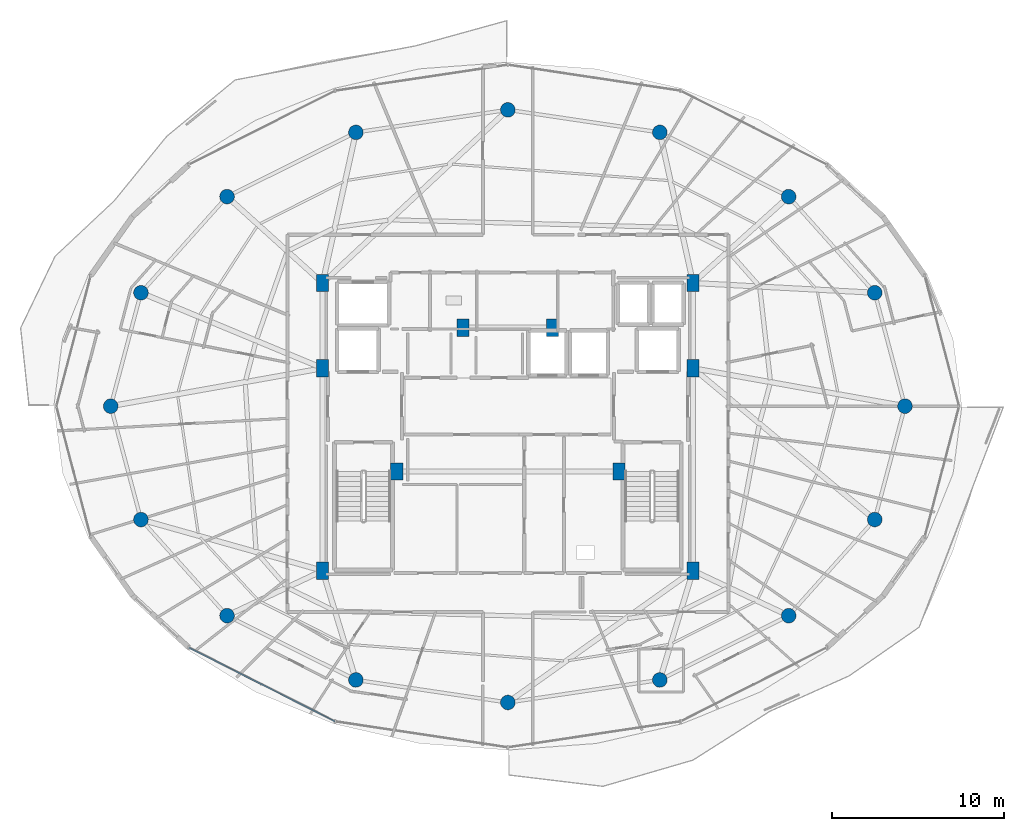
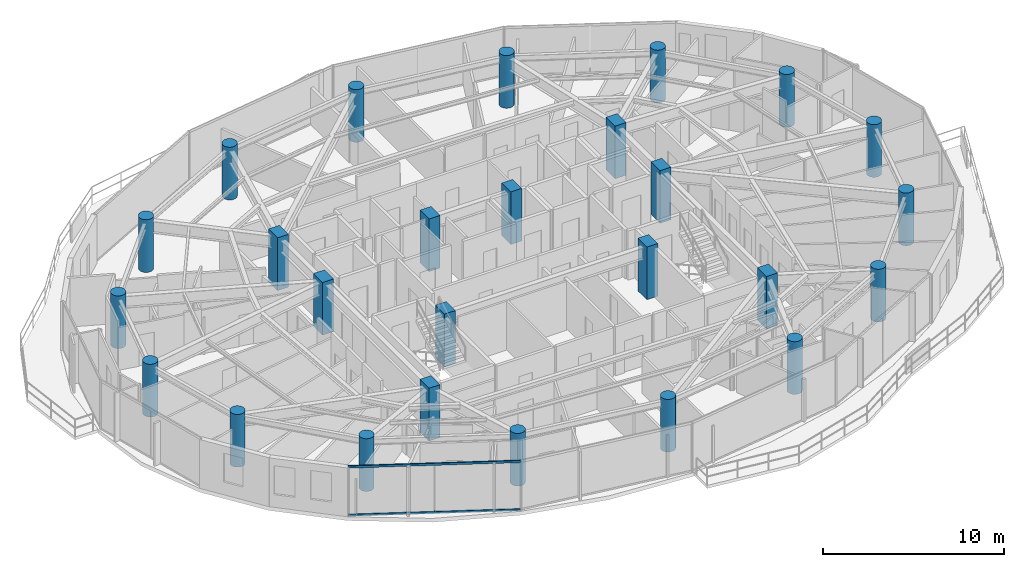
# One storey, part 1 of 30: 26 columns, 2 members, 1 element without a shape of its own.
"""IFC4 building model written with IfcOpenShell, lengths in metres."""

import ifcopenshell
import ifcopenshell.guid

model = None  # the IFC model being written
_history = None  # IfcOwnerHistory: only IFC2X3 demands one
_inside = {}  # id of a spatial element -> (the spatial element, [elements in it])
_under = {}  # id of a project, library or spatial element -> (it, [spatial elements below it])
_declared = {}  # id of a project -> (the project, [libraries it declares])
_typed = {}  # id of a type object -> (the type object, [elements of that type])
_made_of = {}  # id of a material, layer set ... -> (it, [elements and type objects made of it])


def new_model(schema):
    """Start an empty IFC model of exactly this schema.

    Asked for "IFC4X3", IfcOpenShell would pick the latest addendum, in which some entities
    have other attributes; the version numbers below select the first issue.
    IFC2X3 requires an IfcOwnerHistory on every rooted entity: one is made here for all.
    """
    global model, _history
    if schema == "IFC4X3":
        model = ifcopenshell.file(schema_version=(4, 3, 0, 0))
    else:
        model = ifcopenshell.file(schema=schema)
    _inside.clear()
    _under.clear()
    _declared.clear()
    _typed.clear()
    _made_of.clear()
    _history = None
    if model.schema == "IFC2X3":
        org = make("IfcOrganization", Name="unknown")
        user = make(
            "IfcPersonAndOrganization",
            ThePerson=make("IfcPerson", FamilyName="unknown"),
            TheOrganization=org,
        )
        app = make(
            "IfcApplication",
            ApplicationDeveloper=org,
            Version="unknown",
            ApplicationFullName="unknown",
            ApplicationIdentifier="unknown",
        )
        _history = make(
            "IfcOwnerHistory",
            OwningUser=user,
            OwningApplication=app,
            ChangeAction="ADDED",
            CreationDate=0,
        )
    return model


def make(cls, **values):
    """One entity of the class cls with the attributes given. An attribute that is None is left unset."""
    return model.create_entity(
        cls, **{name: value for name, value in values.items() if value is not None}
    )


def rooted(cls, **values):
    """An entity with a GlobalId (a new one), such as an element, a storey or a relation."""
    return make(cls, GlobalId=ifcopenshell.guid.new(), OwnerHistory=_history, **values)


def si_unit(unit_type, name, prefix=None):
    """IfcSIUnit, for example si_unit("LENGTHUNIT", "METRE", prefix="MILLI")."""
    return make("IfcSIUnit", UnitType=unit_type, Prefix=prefix, Name=name)


def assignment(units):
    """IfcUnitAssignment: the units of a project."""
    return None if units is None else make("IfcUnitAssignment", Units=units)


def point(xyz):
    """IfcCartesianPoint."""
    return None if xyz is None else make("IfcCartesianPoint", Coordinates=xyz)


def direction(xyz):
    """IfcDirection."""
    return None if xyz is None else make("IfcDirection", DirectionRatios=xyz)


def frame(location, z_axis=None, x_axis=None):
    """IfcAxis2Placement3D, a coordinate frame: its origin and axes. An axis left out is left unset."""
    return make(
        "IfcAxis2Placement3D",
        Location=point(location),
        Axis=direction(z_axis),
        RefDirection=direction(x_axis),
    )


def frame_2d(location, x_axis=None):
    """IfcAxis2Placement2D, a coordinate frame in the plane: its origin and x axis."""
    return make(
        "IfcAxis2Placement2D", Location=point(location), RefDirection=direction(x_axis)
    )


def origin():
    """The frame at (0, 0, 0) with its axes left unset."""
    return frame((0.0, 0.0, 0.0))


def origin_2d():
    """The frame at (0, 0) in the plane with its x axis left unset."""
    return frame_2d((0.0, 0.0))


def place(relative_to, where):
    """IfcLocalPlacement: puts the frame where relative to a parent placement (None: the world)."""
    return make(
        "IfcLocalPlacement", PlacementRelTo=relative_to, RelativePlacement=where
    )


def context(
    kind, dimensions, precision=None, world=None, true_north=None, identifier=None
):
    """IfcGeometricRepresentationContext, for example the 3D "Model" context."""
    return make(
        "IfcGeometricRepresentationContext",
        ContextIdentifier=identifier,
        ContextType=kind,
        CoordinateSpaceDimension=dimensions,
        Precision=precision,
        WorldCoordinateSystem=world,
        TrueNorth=true_north,
    )


def subcontext(parent, identifier, kind, view, scale=None):
    """IfcGeometricRepresentationSubContext, for example "Body" below "Model"."""
    return make(
        "IfcGeometricRepresentationSubContext",
        ContextIdentifier=identifier,
        ContextType=kind,
        ParentContext=parent,
        TargetScale=scale,
        TargetView=view,
    )


def project(units=None, contexts=None):
    """IfcProject with its units and contexts."""
    return rooted(
        "IfcProject",
        Name="project",
        RepresentationContexts=contexts,
        UnitsInContext=assignment(units),
    )


def spatial(cls, under=None, at=None, **own):
    """A site, building, storey or space (cls), placed at a placement, below another one or the project."""
    s = rooted(cls, ObjectPlacement=at, **own)
    if under is not None:
        _under.setdefault(under.id(), (under, []))[1].append(s)
    return s


def profile(cls, at=None, kind="AREA", **sizes):
    """A parametric profile (cls). Its sizes go by their IFC names, for example OverallWidth=200.0."""
    return make(cls, ProfileType=kind, Position=at, **sizes)


def rectangle(**sizes):
    """IfcRectangleProfileDef."""
    return profile("IfcRectangleProfileDef", **sizes)


def hollow_rectangle(**sizes):
    """IfcRectangleHollowProfileDef."""
    return profile("IfcRectangleHollowProfileDef", **sizes)


def circle(**sizes):
    """IfcCircleProfileDef."""
    return profile("IfcCircleProfileDef", **sizes)


def extrude(swept, where, along, depth):
    """IfcExtrudedAreaSolid: the profile swept, set in the frame where, extruded along a direction by depth."""
    return make(
        "IfcExtrudedAreaSolid",
        SweptArea=swept,
        Position=where,
        ExtrudedDirection=direction(along),
        Depth=depth,
    )


def shape(context_of_items, identifier, shape_type, items):
    """IfcShapeRepresentation: the items that make up one representation, for example the "Body"."""
    return make(
        "IfcShapeRepresentation",
        ContextOfItems=context_of_items,
        RepresentationIdentifier=identifier,
        RepresentationType=shape_type,
        Items=items,
    )


def material(Name=None, Category=None):
    """IfcMaterial."""
    return make("IfcMaterial", Name=Name, Category=Category)


def material_profile(
    of_material, cross_section, Name=None, Category=None, Priority=None
):
    """IfcMaterialProfile: a cross section and its material."""
    return make(
        "IfcMaterialProfile",
        Name=Name,
        Material=of_material,
        Profile=cross_section,
        Priority=Priority,
        Category=Category,
    )


def profile_set(profiles, Name=None, composite=None):
    """IfcMaterialProfileSet."""
    return make(
        "IfcMaterialProfileSet",
        Name=Name,
        MaterialProfiles=profiles,
        CompositeProfile=composite,
    )


def made_of(thing, what):
    """Note that an element or type object is made of a material, layer set ...; save() writes the relation."""
    if what is not None:
        _made_of.setdefault(what.id(), (what, []))[1].append(thing)
    return thing


def type_object(cls, material=None, **own):
    """A type object (cls), such as IfcWallType, which elements share."""
    return made_of(rooted(cls, **own), material)


def element(
    cls,
    number,
    at=None,
    inside=None,
    cuts=None,
    type_object=None,
    material=None,
    context=None,
    identifier="Body",
    shape_type=None,
    held_by="IfcProductDefinitionShape",
    body=None,
    shapes=None,
    **own,
):
    """One element of the class cls, such as IfcWall. Its Tag is "e" and its number.

    at: its placement. inside: the storey or other place that contains it. cuts: it is an
    opening in that element (IfcRelVoidsElement). A single representation is given by context,
    identifier, shape_type and body (its items); several are given by shapes. held_by: the class
    of the entity that holds the representations. save() writes the other relations.
    """
    e = rooted(cls, Tag="e%d" % number, ObjectPlacement=at, **own)
    if body is not None:
        shapes = [shape(context, identifier, shape_type, body)]
    if shapes is not None:
        e.Representation = make(held_by, Representations=shapes)
    if inside is not None:
        _inside.setdefault(inside.id(), (inside, []))[1].append(e)
    if cuts is not None:
        rooted(
            "IfcRelVoidsElement", RelatingBuildingElement=cuts, RelatedOpeningElement=e
        )
    if type_object is not None:
        _typed.setdefault(type_object.id(), (type_object, []))[1].append(e)
    return made_of(e, material)


def aggregate(whole, parts):
    """IfcRelAggregates: a whole, such as a stair, and the parts it consists of."""
    return rooted("IfcRelAggregates", RelatingObject=whole, RelatedObjects=parts)


def save(model, path):
    """Write the relations noted so far, then the file.

    IfcRelAggregates (storeys below a building ...), IfcRelContainedInSpatialStructure (elements
    in a storey), IfcRelDefinesByType, IfcRelAssociatesMaterial and IfcRelDeclares: one each for
    every whole, place, type object, material and project.
    """
    for whole, parts in _under.values():
        aggregate(whole, parts)
    for where, things in _inside.values():
        rooted(
            "IfcRelContainedInSpatialStructure",
            RelatedElements=things,
            RelatingStructure=where,
        )
    for kind, things in _typed.values():
        rooted("IfcRelDefinesByType", RelatedObjects=things, RelatingType=kind)
    for what, things in _made_of.values():
        rooted("IfcRelAssociatesMaterial", RelatedObjects=things, RelatingMaterial=what)
    for by, libraries in _declared.values():
        rooted("IfcRelDeclares", RelatingContext=by, RelatedDefinitions=libraries)
    model.write(path)


model = new_model("IFC4")

# Units and contexts
model_context = context("Model", 3, precision=1e-05, world=origin(), true_north=direction((0.0, 1.0)))
body_context = subcontext(model_context, "Body", "Model", "MODEL_VIEW")
ifc_project = project(units=[si_unit("LENGTHUNIT", "METRE"), si_unit("AREAUNIT", "SQUARE_METRE"), si_unit("VOLUMEUNIT", "CUBIC_METRE"), si_unit("PLANEANGLEUNIT", "RADIAN"), si_unit("MASSUNIT", "GRAM", prefix="KILO")], contexts=[model_context])

# Site, building, storey
site_placement = place(None, origin())
site = spatial("IfcSite", under=ifc_project, at=site_placement, CompositionType="ELEMENT")
building_placement = place(site_placement, origin())
building = spatial("IfcBuilding", under=site, at=building_placement, Name="Vorneva Point Tower", CompositionType="ELEMENT")
storey_placement = place(building_placement, frame((0.0, 0.0, 262.64990234375)))
storey = spatial("IfcBuildingStorey", under=building, at=storey_placement, Name="L71", CompositionType="ELEMENT", Elevation=262.64990234375)

# Columns
ifc_material_1 = material(Name="Concrete B50 (C40/50)", Category="concrete")
ifc_material_profile_1 = material_profile(ifc_material_1, circle(Radius=0.425048828125, at=origin_2d()), Name="RC-CIRC 850")
ifc_profile_set_1 = profile_set([ifc_material_profile_1], Name="Concrete B50 (C40/50)")
column_type_1 = type_object("IfcColumnType", Name="COL-RC850C", PredefinedType="COLUMN", material=ifc_profile_set_1)
for number, where, z_axis, x_axis, name in (
    (1, (61.050048828125, 26.0, 0.0), (0.0, 0.0, 1.0), (1.0, 0.0, 0.0), "L71 Perimeter Column P01"),
    (2, (59.29541015625, 32.582275390625, 0.0), (0.0, 0.0, 1.0), (0.923879532511, 0.382683432365, 0.0), "L71 Perimeter Column P02"),
    (3, (54.298828125, 38.162109375, 0.0), (0.0, 0.0, 1.0), (0.707106781187, 0.707106781187, 0.0), "L71 Perimeter Column P03"),
    (4, (46.82080078125, 41.890625, 0.0), (0.0, 0.0, 1.0), (0.382683432365, 0.923879532511, 0.0), "L71 Perimeter Column P04"),
    (5, (38.0, 43.199951171875, 0.0), (0.0, 0.0, 1.0), (0.0, 1.0, 0.0), "L71 Perimeter Column P05"),
    (6, (29.17919921875, 41.890625, 0.0), (0.0, 0.0, 1.0), (-0.382683432365, 0.923879532511, 0.0), "L71 Perimeter Column P06"),
    (7, (21.701171875, 38.162109375, 0.0), (0.0, 0.0, 1.0), (-0.707106781187, 0.707106781187, 0.0), "L71 Perimeter Column P07"),
    (8, (16.70458984375, 32.582275390625, 0.0), (0.0, 0.0, 1.0), (-0.923879532511, 0.382683432365, 0.0), "L71 Perimeter Column P08"),
    (9, (14.949951171875, 26.0, 0.0), (0.0, 0.0, 1.0), (-1.0, 0.0, 0.0), "L71 Perimeter Column P09"),
    (10, (16.70458984375, 19.417724609375, 0.0), (0.0, 0.0, 1.0), (-0.923879532511, -0.382683432365, 0.0), "L71 Perimeter Column P10"),
    (11, (21.701171875, 13.837890625, 0.0), (0.0, 0.0, 1.0), (-0.707106781187, -0.707106781187, 0.0), "L71 Perimeter Column P11"),
    (12, (29.17919921875, 10.109375, 0.0), (0.0, 0.0, 1.0), (-0.382683432365, -0.923879532511, 0.0), "L71 Perimeter Column P12"),
    (13, (38.0, 8.800048828125, 0.0), (0.0, 0.0, 1.0), (0.0, -1.0, 0.0), "L71 Perimeter Column P13"),
    (14, (46.82080078125, 10.109375, 0.0), (0.0, 0.0, 1.0), (0.382683432365, -0.923879532511, 0.0), "L71 Perimeter Column P14"),
    (15, (54.298828125, 13.837890625, 0.0), (0.0, 0.0, 1.0), (0.707106781187, -0.707106781187, 0.0), "L71 Perimeter Column P15"),
    (16, (59.29541015625, 19.417724609375, 0.0), (0.0, 0.0, 1.0), (0.923879532511, -0.382683432365, 0.0), "L71 Perimeter Column P16"),
):
    element("IfcColumn", number, at=place(storey_placement, frame(where, z_axis=z_axis, x_axis=x_axis)), inside=storey, type_object=column_type_1, Name=name, PredefinedType="COLUMN", context=body_context, shape_type="SweptSolid", body=[
        extrude(circle(Radius=0.425048828125, at=origin_2d()), origin(), (0.0, 0.0, 1.0), 3.550048828125),
    ])
ifc_material_profile_2 = material_profile(ifc_material_1, rectangle(XDim=0.699951171875, YDim=1.0, at=origin_2d()), Name="RC-PIL 1000x700")
ifc_profile_set_2 = profile_set([ifc_material_profile_2], Name="Concrete B50 (C40/50)")
column_type_2 = type_object("IfcColumnType", Name="PIL-RC1000x700", PredefinedType="PILASTER", material=ifc_profile_set_2)
for number, where, z_axis, x_axis, name in (
    (17, (27.25, 16.449951171875, 0.0), (0.0, 0.0, 1.0), (1.0, 0.0, 0.0), "L71 Core Pilaster CP1"),
    (18, (27.25, 28.199951171875, 0.0), (0.0, 0.0, 1.0), (1.0, 0.0, 0.0), "L71 Core Pilaster CP2"),
    (19, (27.25, 33.14990234375, 0.0), (0.0, 0.0, 1.0), (1.0, 0.0, 0.0), "L71 Core Pilaster CP3"),
    (20, (31.550048828125, 22.199951171875, 0.0), (0.0, 0.0, 1.0), (1.0, 0.0, 0.0), "L71 Core Pilaster CP4"),
    (21, (48.75, 33.14990234375, 0.0), (0.0, 0.0, 1.0), (1.0, 0.0, 0.0), "L71 Core Pilaster CP5"),
    (22, (48.75, 28.199951171875, 0.0), (0.0, 0.0, 1.0), (1.0, 0.0, 0.0), "L71 Core Pilaster CP6"),
    (23, (48.75, 16.449951171875, 0.0), (0.0, 0.0, 1.0), (1.0, 0.0, 0.0), "L71 Core Pilaster CP7"),
    (24, (44.449951171875, 22.199951171875, 0.0), (0.0, 0.0, 1.0), (1.0, 0.0, 0.0), "L71 Core Pilaster CP8"),
    (25, (35.39990234375, 30.550048828125, 0.0), (0.0, 0.0, 1.0), (1.0, 0.0, 0.0), "L71 Core Pilaster CP9"),
    (26, (40.60009765625, 30.550048828125, 0.0), (0.0, 0.0, 1.0), (1.0, 0.0, 0.0), "L71 Core Pilaster CP10"),
):
    element("IfcColumn", number, at=place(storey_placement, frame(where, z_axis=z_axis, x_axis=x_axis)), inside=storey, type_object=column_type_2, Name=name, PredefinedType="PILASTER", context=body_context, shape_type="SweptSolid", body=[
        extrude(rectangle(XDim=0.699951171875, YDim=1.0, at=origin_2d()), origin(), (0.0, 0.0, 1.0), 3.550048828125),
    ])

# Curtain wall, members
ifc_material_2 = material(Name="Pale anodised aluminium", Category="aluminium")
curtain_wall_type = type_object("IfcCurtainWallType", Name="CW-RES-SYS", PredefinedType="NOTDEFINED", material=ifc_material_2)
curtain_wall_placement = place(storey_placement, origin())
curtain_wall = element("IfcCurtainWall", 27, at=curtain_wall_placement, inside=storey, type_object=curtain_wall_type, Name="L71 Unitised Curtain Wall CW-L71-R04", PredefinedType="NOTDEFINED")
ifc_material_profile_3 = material_profile(ifc_material_2, hollow_rectangle(XDim=0.074951171875, YDim=0.14990234375, WallThickness=0.00390625, at=origin_2d()), Name="AL-TRN 150x75x4")
ifc_profile_set_3 = profile_set([ifc_material_profile_3], Name="Pale anodised aluminium")
member_type = type_object("IfcMemberType", Name="CW-TRN-150", PredefinedType="USERDEFINED", material=ifc_profile_set_3)
member_1_placement = place(storey_placement, frame((19.473876953125, 11.9921875, 0.02001953125), z_axis=(0.892558185815, -0.450932239848, 0.0), x_axis=(0.450932239848, 0.892558185815, 0.0)))
member_1 = element("IfcMember", 28, at=member_1_placement, type_object=member_type, Name="CW-L71-R04 Transom 01.1", ObjectType="TRANSOM", PredefinedType="USERDEFINED", context=body_context, shape_type="SweptSolid", body=[
    extrude(hollow_rectangle(XDim=0.074951171875, YDim=0.14990234375, WallThickness=0.00390625, at=origin_2d()), origin(), (0.0, 0.0, 1.0), 9.52294921875),
])
member_2_placement = place(storey_placement, frame((19.473876953125, 11.9921875, 3.27001953125), z_axis=(0.892558185815, -0.450932239848, 0.0), x_axis=(0.450932239848, 0.892558185815, 0.0)))
member_2 = element("IfcMember", 29, at=member_2_placement, type_object=member_type, Name="CW-L71-R04 Transom 01.2", ObjectType="TRANSOM", PredefinedType="USERDEFINED", context=body_context, shape_type="SweptSolid", body=[
    extrude(hollow_rectangle(XDim=0.074951171875, YDim=0.14990234375, WallThickness=0.00390625, at=origin_2d()), origin(), (0.0, 0.0, 1.0), 9.52294921875),
])
aggregate(curtain_wall, [member_1, member_2])

save(model, "model.ifc")
